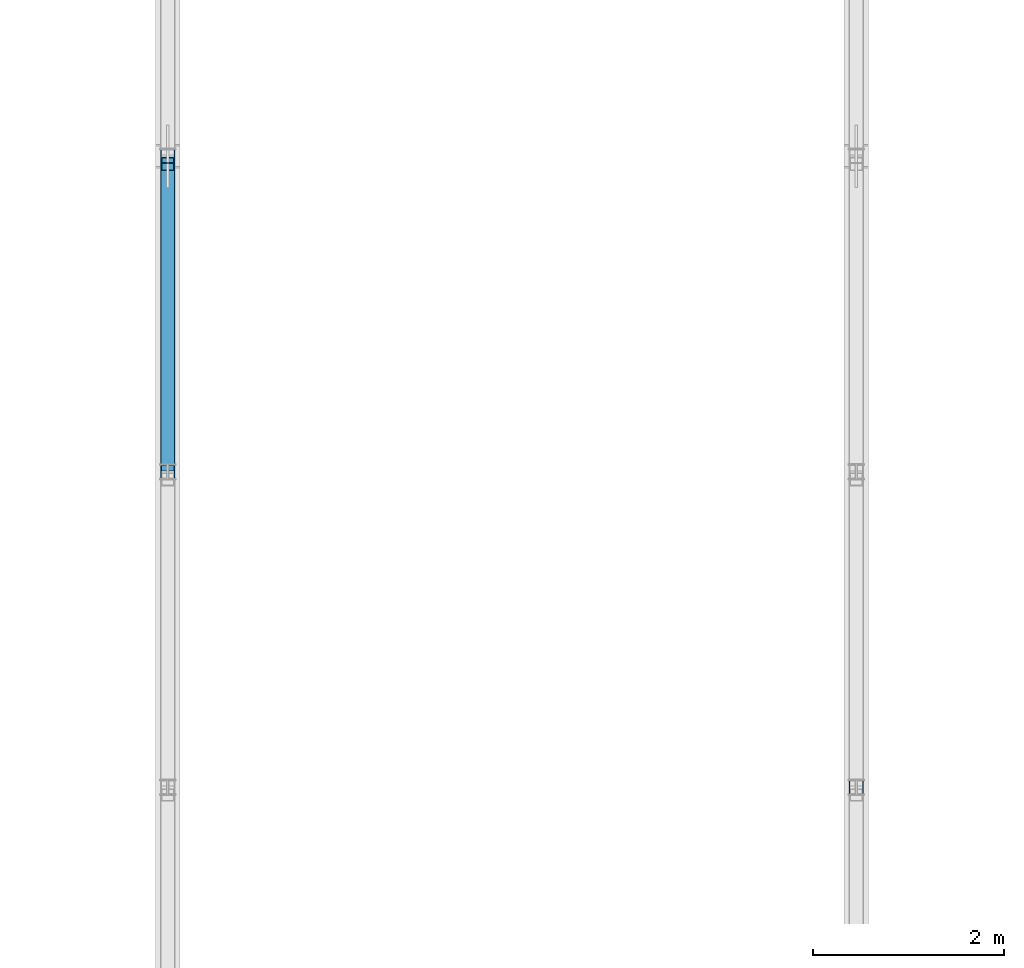
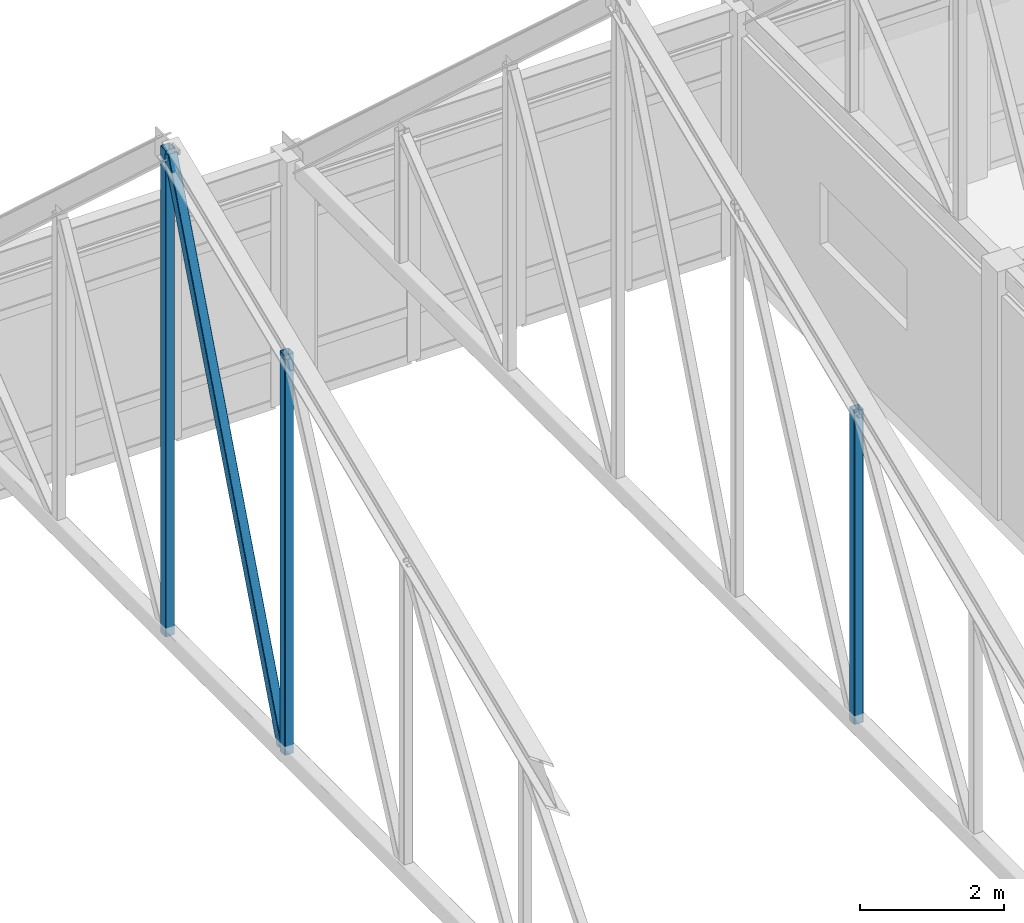
# One storey, part 28 of 136: 4 members.
"""IFC4 building model written with IfcOpenShell, lengths in metres."""

import ifcopenshell
import ifcopenshell.guid

model = None  # the IFC model being written
_history = None  # IfcOwnerHistory: only IFC2X3 demands one
_inside = {}  # id of a spatial element -> (the spatial element, [elements in it])
_under = {}  # id of a project, library or spatial element -> (it, [spatial elements below it])
_declared = {}  # id of a project -> (the project, [libraries it declares])
_typed = {}  # id of a type object -> (the type object, [elements of that type])
_made_of = {}  # id of a material, layer set ... -> (it, [elements and type objects made of it])


def new_model(schema):
    """Start an empty IFC model of exactly this schema.

    Asked for "IFC4X3", IfcOpenShell would pick the latest addendum, in which some entities
    have other attributes; the version numbers below select the first issue.
    IFC2X3 requires an IfcOwnerHistory on every rooted entity: one is made here for all.
    """
    global model, _history
    if schema == "IFC4X3":
        model = ifcopenshell.file(schema_version=(4, 3, 0, 0))
    else:
        model = ifcopenshell.file(schema=schema)
    _inside.clear()
    _under.clear()
    _declared.clear()
    _typed.clear()
    _made_of.clear()
    _history = None
    if model.schema == "IFC2X3":
        org = make("IfcOrganization", Name="unknown")
        user = make(
            "IfcPersonAndOrganization",
            ThePerson=make("IfcPerson", FamilyName="unknown"),
            TheOrganization=org,
        )
        app = make(
            "IfcApplication",
            ApplicationDeveloper=org,
            Version="unknown",
            ApplicationFullName="unknown",
            ApplicationIdentifier="unknown",
        )
        _history = make(
            "IfcOwnerHistory",
            OwningUser=user,
            OwningApplication=app,
            ChangeAction="ADDED",
            CreationDate=0,
        )
    return model


def make(cls, **values):
    """One entity of the class cls with the attributes given. An attribute that is None is left unset."""
    return model.create_entity(
        cls, **{name: value for name, value in values.items() if value is not None}
    )


def rooted(cls, **values):
    """An entity with a GlobalId (a new one), such as an element, a storey or a relation."""
    return make(cls, GlobalId=ifcopenshell.guid.new(), OwnerHistory=_history, **values)


def si_unit(unit_type, name, prefix=None):
    """IfcSIUnit, for example si_unit("LENGTHUNIT", "METRE", prefix="MILLI")."""
    return make("IfcSIUnit", UnitType=unit_type, Prefix=prefix, Name=name)


def assignment(units):
    """IfcUnitAssignment: the units of a project."""
    return None if units is None else make("IfcUnitAssignment", Units=units)


def point(xyz):
    """IfcCartesianPoint."""
    return None if xyz is None else make("IfcCartesianPoint", Coordinates=xyz)


def direction(xyz):
    """IfcDirection."""
    return None if xyz is None else make("IfcDirection", DirectionRatios=xyz)


def frame(location, z_axis=None, x_axis=None):
    """IfcAxis2Placement3D, a coordinate frame: its origin and axes. An axis left out is left unset."""
    return make(
        "IfcAxis2Placement3D",
        Location=point(location),
        Axis=direction(z_axis),
        RefDirection=direction(x_axis),
    )


def frame_2d(location, x_axis=None):
    """IfcAxis2Placement2D, a coordinate frame in the plane: its origin and x axis."""
    return make(
        "IfcAxis2Placement2D", Location=point(location), RefDirection=direction(x_axis)
    )


def origin():
    """The frame at (0, 0, 0) with its axes left unset."""
    return frame((0.0, 0.0, 0.0))


def origin_2d():
    """The frame at (0, 0) in the plane with its x axis left unset."""
    return frame_2d((0.0, 0.0))


def place(relative_to, where):
    """IfcLocalPlacement: puts the frame where relative to a parent placement (None: the world)."""
    return make(
        "IfcLocalPlacement", PlacementRelTo=relative_to, RelativePlacement=where
    )


def context(
    kind, dimensions, precision=None, world=None, true_north=None, identifier=None
):
    """IfcGeometricRepresentationContext, for example the 3D "Model" context."""
    return make(
        "IfcGeometricRepresentationContext",
        ContextIdentifier=identifier,
        ContextType=kind,
        CoordinateSpaceDimension=dimensions,
        Precision=precision,
        WorldCoordinateSystem=world,
        TrueNorth=true_north,
    )


def subcontext(parent, identifier, kind, view, scale=None):
    """IfcGeometricRepresentationSubContext, for example "Body" below "Model"."""
    return make(
        "IfcGeometricRepresentationSubContext",
        ContextIdentifier=identifier,
        ContextType=kind,
        ParentContext=parent,
        TargetScale=scale,
        TargetView=view,
    )


def project(units=None, contexts=None):
    """IfcProject with its units and contexts."""
    return rooted(
        "IfcProject",
        Name="project",
        RepresentationContexts=contexts,
        UnitsInContext=assignment(units),
    )


def spatial(cls, under=None, at=None, **own):
    """A site, building, storey or space (cls), placed at a placement, below another one or the project."""
    s = rooted(cls, ObjectPlacement=at, **own)
    if under is not None:
        _under.setdefault(under.id(), (under, []))[1].append(s)
    return s


def profile(cls, at=None, kind="AREA", **sizes):
    """A parametric profile (cls). Its sizes go by their IFC names, for example OverallWidth=200.0."""
    return make(cls, ProfileType=kind, Position=at, **sizes)


def hollow_rectangle(**sizes):
    """IfcRectangleHollowProfileDef."""
    return profile("IfcRectangleHollowProfileDef", **sizes)


def extrude(swept, where, along, depth):
    """IfcExtrudedAreaSolid: the profile swept, set in the frame where, extruded along a direction by depth."""
    return make(
        "IfcExtrudedAreaSolid",
        SweptArea=swept,
        Position=where,
        ExtrudedDirection=direction(along),
        Depth=depth,
    )


def shape(context_of_items, identifier, shape_type, items):
    """IfcShapeRepresentation: the items that make up one representation, for example the "Body"."""
    return make(
        "IfcShapeRepresentation",
        ContextOfItems=context_of_items,
        RepresentationIdentifier=identifier,
        RepresentationType=shape_type,
        Items=items,
    )


def material(Name=None, Category=None):
    """IfcMaterial."""
    return make("IfcMaterial", Name=Name, Category=Category)


def material_profile(
    of_material, cross_section, Name=None, Category=None, Priority=None
):
    """IfcMaterialProfile: a cross section and its material."""
    return make(
        "IfcMaterialProfile",
        Name=Name,
        Material=of_material,
        Profile=cross_section,
        Priority=Priority,
        Category=Category,
    )


def profile_set(profiles, Name=None, composite=None):
    """IfcMaterialProfileSet."""
    return make(
        "IfcMaterialProfileSet",
        Name=Name,
        MaterialProfiles=profiles,
        CompositeProfile=composite,
    )


def made_of(thing, what):
    """Note that an element or type object is made of a material, layer set ...; save() writes the relation."""
    if what is not None:
        _made_of.setdefault(what.id(), (what, []))[1].append(thing)
    return thing


def type_object(cls, material=None, **own):
    """A type object (cls), such as IfcWallType, which elements share."""
    return made_of(rooted(cls, **own), material)


def element(
    cls,
    number,
    at=None,
    inside=None,
    cuts=None,
    type_object=None,
    material=None,
    context=None,
    identifier="Body",
    shape_type=None,
    held_by="IfcProductDefinitionShape",
    body=None,
    shapes=None,
    **own,
):
    """One element of the class cls, such as IfcWall. Its Tag is "e" and its number.

    at: its placement. inside: the storey or other place that contains it. cuts: it is an
    opening in that element (IfcRelVoidsElement). A single representation is given by context,
    identifier, shape_type and body (its items); several are given by shapes. held_by: the class
    of the entity that holds the representations. save() writes the other relations.
    """
    e = rooted(cls, Tag="e%d" % number, ObjectPlacement=at, **own)
    if body is not None:
        shapes = [shape(context, identifier, shape_type, body)]
    if shapes is not None:
        e.Representation = make(held_by, Representations=shapes)
    if inside is not None:
        _inside.setdefault(inside.id(), (inside, []))[1].append(e)
    if cuts is not None:
        rooted(
            "IfcRelVoidsElement", RelatingBuildingElement=cuts, RelatedOpeningElement=e
        )
    if type_object is not None:
        _typed.setdefault(type_object.id(), (type_object, []))[1].append(e)
    return made_of(e, material)


def aggregate(whole, parts):
    """IfcRelAggregates: a whole, such as a stair, and the parts it consists of."""
    return rooted("IfcRelAggregates", RelatingObject=whole, RelatedObjects=parts)


def save(model, path):
    """Write the relations noted so far, then the file.

    IfcRelAggregates (storeys below a building ...), IfcRelContainedInSpatialStructure (elements
    in a storey), IfcRelDefinesByType, IfcRelAssociatesMaterial and IfcRelDeclares: one each for
    every whole, place, type object, material and project.
    """
    for whole, parts in _under.values():
        aggregate(whole, parts)
    for where, things in _inside.values():
        rooted(
            "IfcRelContainedInSpatialStructure",
            RelatedElements=things,
            RelatingStructure=where,
        )
    for kind, things in _typed.values():
        rooted("IfcRelDefinesByType", RelatedObjects=things, RelatingType=kind)
    for what, things in _made_of.values():
        rooted("IfcRelAssociatesMaterial", RelatedObjects=things, RelatingMaterial=what)
    for by, libraries in _declared.values():
        rooted("IfcRelDeclares", RelatingContext=by, RelatedDefinitions=libraries)
    model.write(path)


model = new_model("IFC4")

# Units and contexts
model_context = context("Model", 3, precision=1e-05, world=origin(), true_north=direction((0.0, 1.0)))
body_context = subcontext(model_context, "Body", "Model", "MODEL_VIEW")
ifc_project = project(units=[si_unit("LENGTHUNIT", "METRE"), si_unit("AREAUNIT", "SQUARE_METRE"), si_unit("VOLUMEUNIT", "CUBIC_METRE"), si_unit("PLANEANGLEUNIT", "RADIAN"), si_unit("MASSUNIT", "GRAM", prefix="KILO")], contexts=[model_context])

# Site, building, storey
site_placement = place(None, origin())
site = spatial("IfcSite", under=ifc_project, at=site_placement, CompositionType="ELEMENT")
building_placement = place(site_placement, origin())
building = spatial("IfcBuilding", under=site, at=building_placement, Name="Koriwan Promenade Central Fire Station", CompositionType="ELEMENT")
storey_placement = place(building_placement, frame((0.0, 0.0, 5.39990234375)))
storey = spatial("IfcBuildingStorey", under=building, at=storey_placement, Name="L01", CompositionType="ELEMENT", Elevation=5.39990234375)

# Members
ifc_material = material(Name="Steel ASTM A500 Grade C", Category="steel")
ifc_material_profile = material_profile(ifc_material, hollow_rectangle(XDim=0.14990234375, YDim=0.14990234375, WallThickness=0.008056640625, InnerFilletRadius=0.008056640625, OuterFilletRadius=0.01611328125, at=origin_2d()), Name="HSS150x150x8")
ifc_profile_set = profile_set([ifc_material_profile], Name="Steel ASTM A500 Grade C")
member_type = type_object("IfcMemberType", Name="Member_STRUT_HSS150x150x8", PredefinedType="STRUT", material=ifc_profile_set)
member_1_placement = place(storey_placement, frame((86.39990234375, 59.699951171875, 4.02001953125), z_axis=(0.0, 0.0, 1.0), x_axis=(1.0, 0.0, 0.0)))
element("IfcMember", 1, at=member_1_placement, inside=storey, type_object=member_type, Name="TR_V1_05 vertical 5", PredefinedType="STRUT", context=body_context, shape_type="SweptSolid", body=[
    extrude(hollow_rectangle(XDim=0.14990234375, YDim=0.14990234375, WallThickness=0.008056640625, InnerFilletRadius=0.008056640625, OuterFilletRadius=0.01611328125, at=origin_2d()), origin(), (0.0, 0.0, 1.0), 6.753662109375),
])
member_2_placement = place(storey_placement, frame((86.39990234375, 63.0, 4.02001953125), z_axis=(0.0, 0.0, 1.0), x_axis=(1.0, 0.0, 0.0)))
element("IfcMember", 2, at=member_2_placement, inside=storey, type_object=member_type, Name="TR_V1_05 vertical 6", PredefinedType="STRUT", context=body_context, shape_type="SweptSolid", body=[
    extrude(hollow_rectangle(XDim=0.14990234375, YDim=0.14990234375, WallThickness=0.008056640625, InnerFilletRadius=0.008056640625, OuterFilletRadius=0.01611328125, at=origin_2d()), origin(), (0.0, 0.0, 1.0), 8.220458984375),
])
member_3_placement = place(storey_placement, frame((86.39990234375, 59.780029296875, 4.070068359375), z_axis=(0.0, 0.360647144455, 0.932702330434), x_axis=(-1.0, 0.0, 0.0)))
element("IfcMember", 3, at=member_3_placement, inside=storey, type_object=member_type, Name="TR_V1_05 web diagonal 6", PredefinedType="STRUT", context=body_context, shape_type="SweptSolid", body=[
    extrude(hollow_rectangle(XDim=0.14990234375, YDim=0.14990234375, WallThickness=0.008056640625, InnerFilletRadius=0.008056640625, OuterFilletRadius=0.01611328125, at=origin_2d()), origin(), (0.0, 0.0, 1.0), 8.706298828125),
])
member_4_placement = place(storey_placement, frame((93.60009765625, 56.39990234375, 4.02001953125), z_axis=(0.0, 0.0, 1.0), x_axis=(1.0, 0.0, 0.0)))
element("IfcMember", 4, at=member_4_placement, inside=storey, type_object=member_type, Name="TR_V1_06 vertical 4", PredefinedType="STRUT", context=body_context, shape_type="SweptSolid", body=[
    extrude(hollow_rectangle(XDim=0.14990234375, YDim=0.14990234375, WallThickness=0.008056640625, InnerFilletRadius=0.008056640625, OuterFilletRadius=0.01611328125, at=origin_2d()), origin(), (0.0, 0.0, 1.0), 5.287109375),
])

save(model, "model.ifc")
